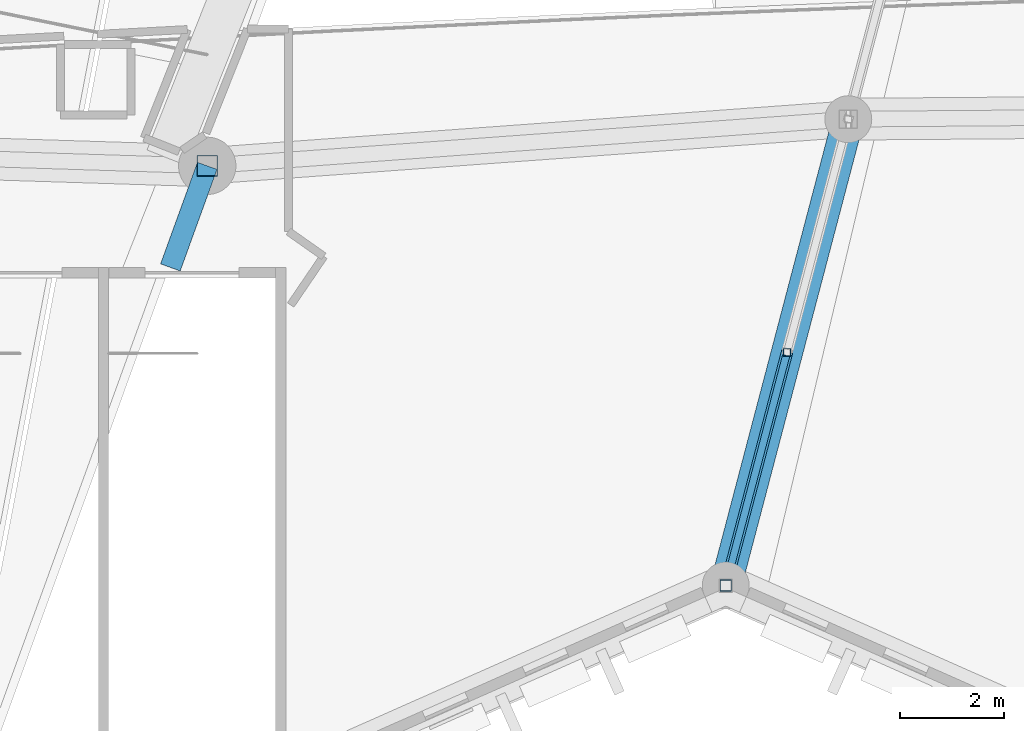
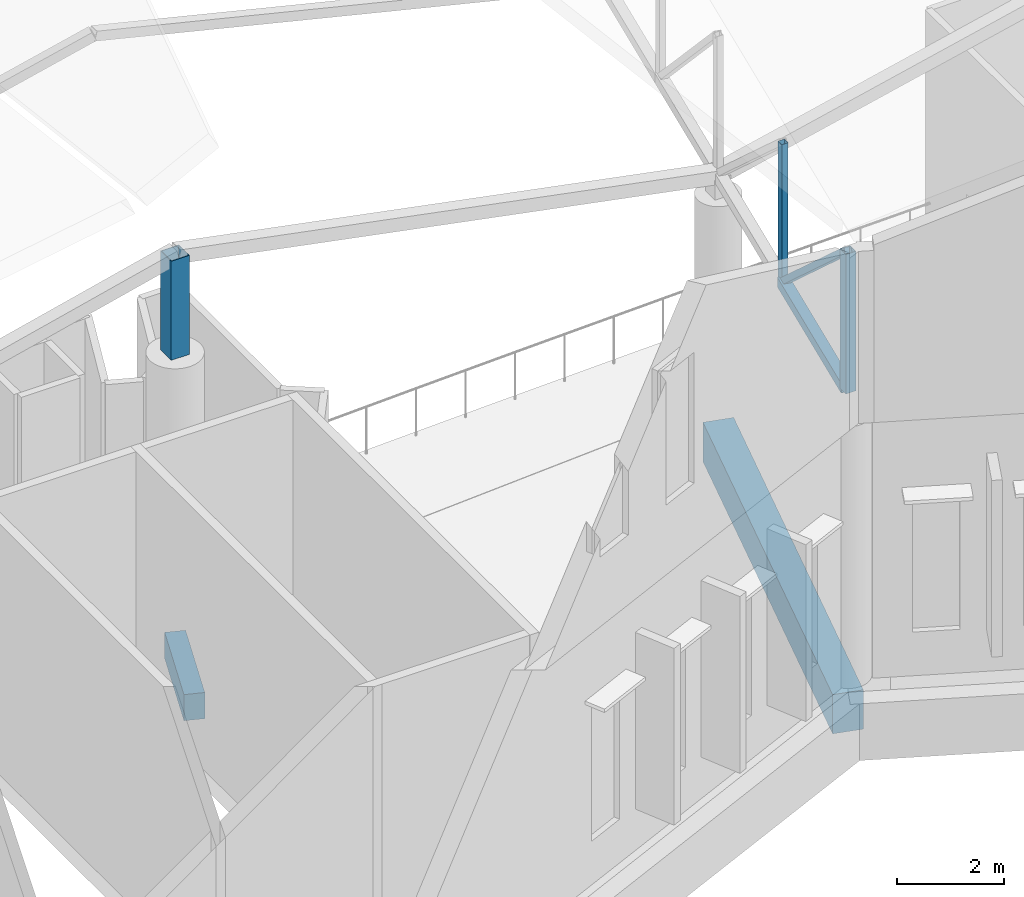
# One storey, part 25 of 344: 5 members, 2 beams.
"""IFC4 building model written with IfcOpenShell, lengths in metres."""

from ifc_helpers import new_model, si_unit, direction, frame, origin, origin_2d, place, context, subcontext, project, spatial, rectangle, hollow_rectangle, extrude, material, material_profile, profile_set, type_object, element, save


model = new_model("IFC4")

# Units and contexts
model_context = context("Model", 3, precision=1e-05, world=origin(), true_north=direction((0.0, 1.0)))
body_context = subcontext(model_context, "Body", "Model", "MODEL_VIEW")
ifc_project = project(units=[si_unit("LENGTHUNIT", "METRE"), si_unit("AREAUNIT", "SQUARE_METRE"), si_unit("VOLUMEUNIT", "CUBIC_METRE"), si_unit("PLANEANGLEUNIT", "RADIAN"), si_unit("MASSUNIT", "GRAM", prefix="KILO")], contexts=[model_context])

# Site, building, storey
site_placement = place(None, origin())
site = spatial("IfcSite", under=ifc_project, at=site_placement, CompositionType="ELEMENT")
building_placement = place(site_placement, origin())
building = spatial("IfcBuilding", under=site, at=building_placement, Name="Meseta Stadium", CompositionType="ELEMENT")
storey_placement = place(building_placement, frame((0.0, 0.0, 24.0)))
storey = spatial("IfcBuildingStorey", under=building, at=storey_placement, Name="L04", CompositionType="ELEMENT", Elevation=24.0)

# Beams
ifc_material_1 = material(Name="Concrete C40/50", Category="concrete")
ifc_material_profile_1 = material_profile(ifc_material_1, rectangle(XDim=0.39990234375, YDim=0.60009765625, at=origin_2d()), Name="RC 400x600")
ifc_profile_set_1 = profile_set([ifc_material_profile_1], Name="Concrete C40/50")
beam_type_1 = type_object("IfcBeamType", Name="RC beam 400x600", PredefinedType="BEAM", material=ifc_profile_set_1)
beam_1_placement = place(storey_placement, frame((-32.944091796875, -90.551025390625, -0.699951171875), z_axis=(-0.341128443291, -0.940016694095, 0.0), x_axis=(0.940016694095, -0.341128443291, 0.0)))
element("IfcBeam", 1, at=beam_1_placement, inside=storey, type_object=beam_type_1, Name="L04 radial beam frame 44 line P to R", PredefinedType="BEAM", context=body_context, shape_type="SweptSolid", body=[
    extrude(rectangle(XDim=0.39990234375, YDim=0.60009765625, at=origin_2d()), origin(), (0.0, 0.0, 1.0), 2.0732421875),
])
ifc_material_2 = material(Name="Concrete C40/50", Category="concrete")
ifc_material_profile_2 = material_profile(ifc_material_2, rectangle(XDim=0.60009765625, YDim=0.89990234375, at=origin_2d()), Name="RC 600x900")
ifc_profile_set_2 = profile_set([ifc_material_profile_2], Name="Concrete C40/50")
beam_type_2 = type_object("IfcBeamType", Name="RC beam 600x900", PredefinedType="BEAM", material=ifc_profile_set_2)
beam_2_placement = place(storey_placement, frame((-20.649658203125, -89.65625, -0.85009765625), z_axis=(-0.254159308712, -0.967162367855, 0.0), x_axis=(0.967162367855, -0.254159308712, 0.0)))
element("IfcBeam", 2, at=beam_2_placement, inside=storey, type_object=beam_type_2, Name="L04 radial beam frame 45 line P to R", PredefinedType="BEAM", context=body_context, shape_type="SweptSolid", body=[
    extrude(rectangle(XDim=0.60009765625, YDim=0.89990234375, at=origin_2d()), origin(), (0.0, 0.0, 1.0), 9.24755859375),
])

# Members
ifc_material_3 = material(Name="Steel S355", Category="steel")
ifc_material_profile_3 = material_profile(ifc_material_3, hollow_rectangle(XDim=0.139892578125, YDim=0.139892578125, WallThickness=0.0048828125, at=origin_2d()), Name="SHS 140x140x5")
ifc_profile_set_3 = profile_set([ifc_material_profile_3], Name="Steel S355")
member_type_1 = type_object("IfcMemberType", Name="SHS 140x140x5 diagonal", PredefinedType="BRACE", material=ifc_profile_set_3)
member_1_placement = place(storey_placement, frame((-21.82470703125, -94.128173828125, 5.89404296875), z_axis=(-0.195414257696, -0.743540290448, 0.639500667998), x_axis=(0.967155877946, -0.254184003736, 0.0)))
element("IfcMember", 3, at=member_1_placement, inside=storey, type_object=member_type_1, Name="ROOF TRUSS RT-45 diagonal", PredefinedType="BRACE", context=body_context, shape_type="SweptSolid", body=[
    extrude(hollow_rectangle(XDim=0.139892578125, YDim=0.139892578125, WallThickness=0.0048828125, at=origin_2d()), origin(), (0.0, 0.0, 1.0), 6.014404296875),
])
ifc_material_4 = material(Name="Steel S355", Category="steel")
ifc_material_profile_4 = material_profile(ifc_material_4, hollow_rectangle(XDim=0.139892578125, YDim=0.139892578125, WallThickness=0.0048828125, at=origin_2d()), Name="SHS 140x140x5")
ifc_profile_set_4 = profile_set([ifc_material_profile_4], Name="Steel S355")
member_type_2 = type_object("IfcMemberType", Name="SHS 140x140x5 post", PredefinedType="POST", material=ifc_profile_set_4)
member_2_placement = place(storey_placement, frame((-21.82470703125, -94.128173828125, 5.89404296875), z_axis=(0.0, 0.0, 1.0), x_axis=(1.0, 0.0, 0.0)))
element("IfcMember", 4, at=member_2_placement, inside=storey, type_object=member_type_2, Name="ROOF TRUSS RT-45 post", PredefinedType="POST", context=body_context, shape_type="SweptSolid", body=[
    extrude(hollow_rectangle(XDim=0.139892578125, YDim=0.139892578125, WallThickness=0.0048828125, at=origin_2d()), origin(), (0.0, 0.0, 1.0), 3.199951171875),
])
ifc_material_5 = material(Name="Steel S355", Category="steel")
ifc_material_profile_5 = material_profile(ifc_material_5, hollow_rectangle(XDim=0.219970703125, YDim=0.219970703125, WallThickness=0.008056640625, at=origin_2d()), Name="SHS 220x220x8")
ifc_profile_set_5 = profile_set([ifc_material_profile_5], Name="Steel S355")
member_type_3 = type_object("IfcMemberType", Name="SHS 220x220x8 bottom chord", PredefinedType="CHORD", material=ifc_profile_set_5)
member_3_placement = place(storey_placement, frame((-21.82470703125, -94.128173828125, 5.89404296875), z_axis=(-0.251763284142, -0.957835851284, 0.138440350884), x_axis=(0.967148745494, -0.254211140764, 0.0)))
element("IfcMember", 5, at=member_3_placement, inside=storey, type_object=member_type_3, Name="ROOF TRUSS RT-45 bottom chord", PredefinedType="CHORD", context=body_context, shape_type="SweptSolid", body=[
    extrude(hollow_rectangle(XDim=0.219970703125, YDim=0.219970703125, WallThickness=0.008056640625, at=origin_2d()), origin(), (0.0, 0.0, 1.0), 4.55859375),
])
ifc_material_6 = material(Name="Steel S355", Category="steel")
ifc_material_profile_6 = material_profile(ifc_material_6, hollow_rectangle(XDim=0.219970703125, YDim=0.219970703125, WallThickness=0.008056640625, at=origin_2d()), Name="SHS 220x220x8")
ifc_profile_set_6 = profile_set([ifc_material_profile_6], Name="Steel S355")
member_type_4 = type_object("IfcMemberType", Name="SHS 220x220x8 rim post", PredefinedType="POST", material=ifc_profile_set_6)
member_4_placement = place(storey_placement, frame((-23.0, -98.60009765625, 6.540283203125), z_axis=(0.0, 0.0, 1.0), x_axis=(1.0, 0.0, 0.0)))
element("IfcMember", 6, at=member_4_placement, inside=storey, type_object=member_type_4, Name="ROOF TRUSS RT-45 post", PredefinedType="POST", context=body_context, shape_type="SweptSolid", body=[
    extrude(hollow_rectangle(XDim=0.219970703125, YDim=0.219970703125, WallThickness=0.008056640625, at=origin_2d()), origin(), (0.0, 0.0, 1.0), 3.199951171875),
])
ifc_material_7 = material(Name="Steel S355", Category="steel")
ifc_material_profile_7 = material_profile(ifc_material_7, hollow_rectangle(XDim=0.39990234375, YDim=0.39990234375, WallThickness=0.01416015625, at=origin_2d()), Name="SHS 400x400x14.2")
ifc_profile_set_7 = profile_set([ifc_material_profile_7], Name="Steel S355")
member_type_5 = type_object("IfcMemberType", Name="SHS 400x400x14.2 pedestal", PredefinedType="POST", material=ifc_profile_set_7)
member_5_placement = place(storey_placement, frame((-32.944091796875, -90.551025390625, 6.0), z_axis=(0.0, 0.0, 1.0), x_axis=(1.0, 0.0, 0.0)))
element("IfcMember", 7, at=member_5_placement, inside=storey, type_object=member_type_5, Name="ROOF TRUSS RT-44 pedestal", PredefinedType="POST", context=body_context, shape_type="SweptSolid", body=[
    extrude(hollow_rectangle(XDim=0.39990234375, YDim=0.39990234375, WallThickness=0.01416015625, at=origin_2d()), origin(), (0.0, 0.0, 1.0), 2.27099609375),
])

save(model, "model.ifc")
